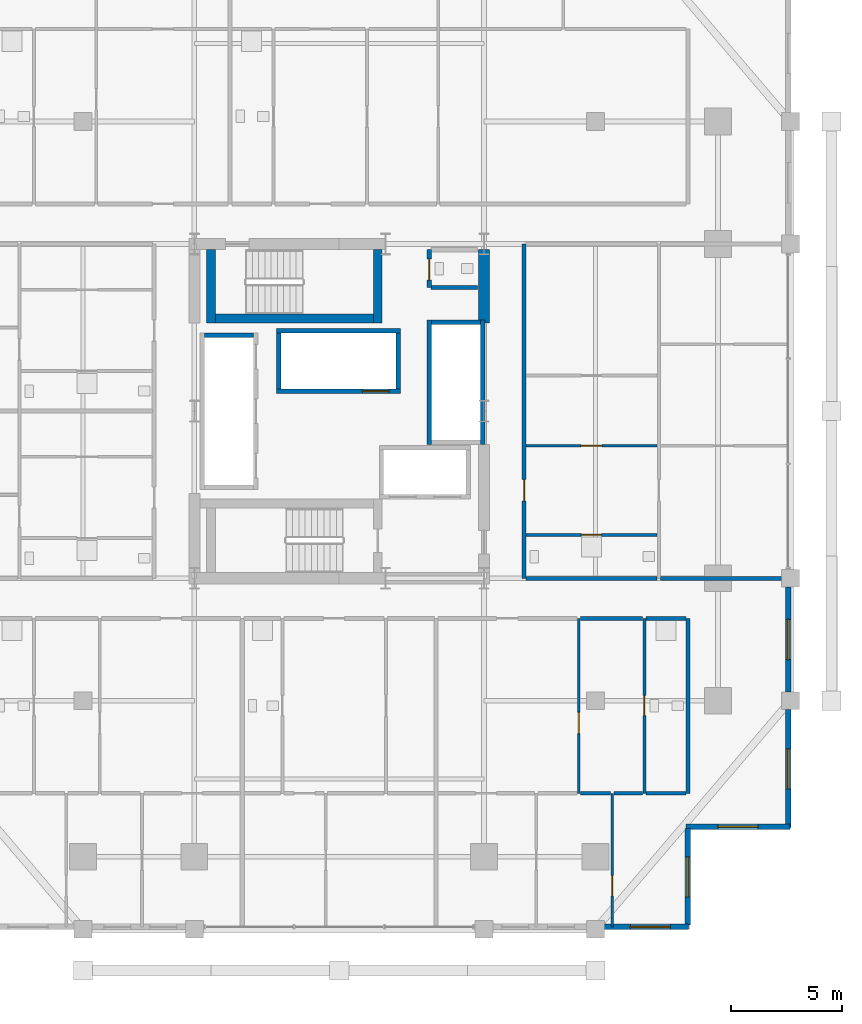
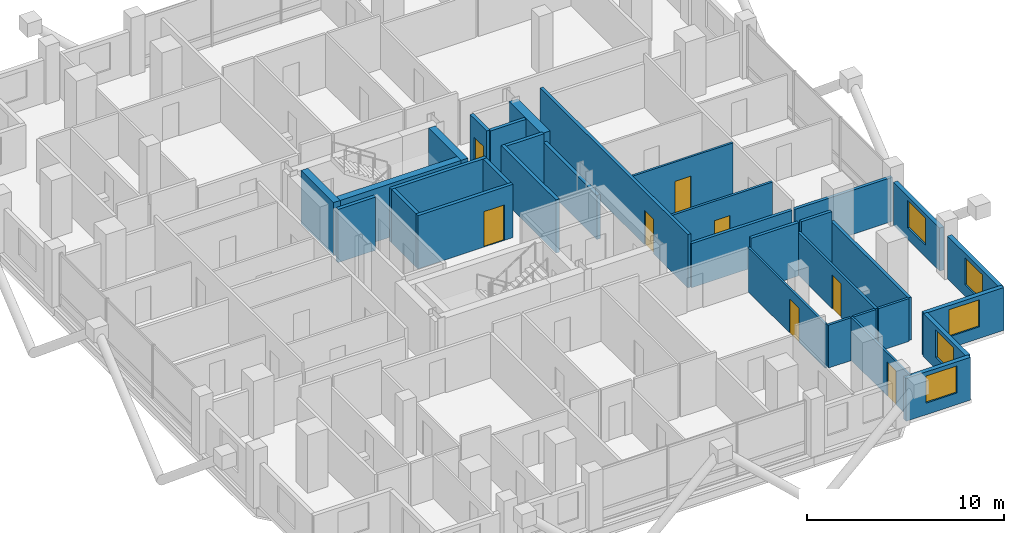
# One storey, part 19 of 23: 33 walls, 8 doors, 5 windows, 13 openings.
"""IFC4 building model written with IfcOpenShell, lengths in metres."""

from ifc_helpers import new_model, si_unit, direction, frame, frame_2d, origin, place, context, subcontext, project, spatial, rectangle, extrude, material, layer, layer_set, type_object, element, fill, save


model = new_model("IFC4")

# Units and contexts
model_context = context("Model", 3, precision=1e-05, world=origin(), true_north=direction((0.0, 1.0)))
body_context = subcontext(model_context, "Body", "Model", "MODEL_VIEW")
ifc_project = project(units=[si_unit("LENGTHUNIT", "METRE"), si_unit("AREAUNIT", "SQUARE_METRE"), si_unit("VOLUMEUNIT", "CUBIC_METRE"), si_unit("PLANEANGLEUNIT", "RADIAN"), si_unit("MASSUNIT", "GRAM", prefix="KILO")], contexts=[model_context])

# Site, building, storey
site_placement = place(None, origin())
site = spatial("IfcSite", under=ifc_project, at=site_placement, CompositionType="ELEMENT")
building_placement = place(site_placement, origin())
building = spatial("IfcBuilding", under=site, at=building_placement, Name="Barlavira Tower and Art Museum", CompositionType="ELEMENT")
storey_placement = place(building_placement, frame((0.0, 0.0, 117.0)))
storey = spatial("IfcBuildingStorey", under=building, at=storey_placement, Name="L29", CompositionType="ELEMENT", Elevation=117.0)

# Wall, opening, door
ifc_material_1 = material(Name="Gypsum acoustic stud partition", Category="gypsum")
ifc_layer_1 = layer(ifc_material_1, 0.1201171875, Name="Gypsum acoustic stud partition")
ifc_layer_set_1 = layer_set([ifc_layer_1], Name="Gypsum acoustic stud partition")
wall_type_1 = type_object("IfcWallType", Name="Apartment Internal Acoustic Partition 120", PredefinedType="PARTITIONING", material=ifc_layer_set_1)
wall_1_placement = place(storey_placement, frame((10.75, -17.14990234375, 0.0), z_axis=(0.0, 0.0, 1.0), x_axis=(0.0, 1.0, 0.0)))
wall_1 = element("IfcWall", 1, at=wall_1_placement, inside=storey, type_object=wall_type_1, Name="L29 Partition Wall 24", PredefinedType="PARTITIONING", context=body_context, shape_type="SweptSolid", body=[
    extrude(rectangle(XDim=7.849853515625, YDim=0.1201171875, at=frame_2d((3.9248046875, 0.0))), origin(), (0.0, 0.0, 1.0), 2.736083984375),
])
opening_1_placement = place(wall_1_placement, frame((2.681396484375, 0.0, 0.0)))
opening_1 = element("IfcOpeningElement", 2, at=opening_1_placement, cuts=wall_1, Name="Opening D-02", PredefinedType="OPENING", context=body_context, shape_type="SweptSolid", body=[
    extrude(rectangle(XDim=0.949951171875, YDim=2.10009765625, at=frame_2d((0.47509765625, 1.050048828125))), frame((0.0, 0.070068359375, 0.0), z_axis=(0.0, -1.0, 0.0), x_axis=(1.0, 0.0, 0.0)), (0.0, 0.0, 1.0), 0.14013671875),
])
ifc_material_2 = material(Name="Engineered coastal hardwood", Category="wood")
door_type_1 = type_object("IfcDoorType", Name="Living and Salon Glazed-Leaf Door 950x2100", OperationType="NOTDEFINED", PredefinedType="DOOR", material=ifc_material_2)
door_1_placement = place(opening_1_placement, origin())
door_1 = element("IfcDoor", 3, at=door_1_placement, inside=storey, type_object=door_type_1, Name="Apartment S3 Kitchen Door", OperationType="SINGLE_SWING_LEFT", OverallHeight=2.10009765625, OverallWidth=0.949951171875, PredefinedType="DOOR", context=body_context, shape_type="SweptSolid", body=[
    extrude(rectangle(XDim=0.949951171875, YDim=2.10009765625, at=frame_2d((0.47509765625, 1.050048828125))), frame((0.0, 0.02490234375, 0.0), z_axis=(0.0, -1.0, 0.0), x_axis=(1.0, 0.0, 0.0)), (0.0, 0.0, 1.0), 0.050048828125),
])
fill(opening_1, door_1)

wall_2_placement = place(storey_placement, frame((12.25, -23.14990234375, 0.0), z_axis=(0.0, 0.0, 1.0), x_axis=(0.0, 1.0, 0.0)))
wall_2 = element("IfcWall", 4, at=wall_2_placement, inside=storey, type_object=wall_type_1, Name="L29 Partition Wall 25", PredefinedType="PARTITIONING", context=body_context, shape_type="SweptSolid", body=[
    extrude(rectangle(XDim=6.0, YDim=0.1201171875, at=frame_2d((3.0, 0.0))), origin(), (0.0, 0.0, 1.0), 2.656005859375),
])
opening_2_placement = place(wall_2_placement, frame((1.39892578125, 0.0, 0.0)))
opening_2 = element("IfcOpeningElement", 5, at=opening_2_placement, cuts=wall_2, Name="Opening D-01", PredefinedType="OPENING", context=body_context, shape_type="SweptSolid", body=[
    extrude(rectangle(XDim=0.89990234375, YDim=2.10009765625, at=frame_2d((0.449951171875, 1.050048828125))), frame((0.0, 0.070068359375, 0.0), z_axis=(0.0, -1.0, 0.0), x_axis=(1.0, 0.0, 0.0)), (0.0, 0.0, 1.0), 0.14013671875),
])
door_type_2 = type_object("IfcDoorType", Name="Internal Bedroom Timber Flush Door 900x2100", OperationType="NOTDEFINED", PredefinedType="DOOR", material=ifc_material_2)
door_2_placement = place(opening_2_placement, origin())
door_2 = element("IfcDoor", 6, at=door_2_placement, inside=storey, type_object=door_type_2, Name="Apartment S3 Bedroom 2 Door", OperationType="SINGLE_SWING_LEFT", OverallHeight=2.10009765625, OverallWidth=0.89990234375, PredefinedType="DOOR", context=body_context, shape_type="SweptSolid", body=[
    extrude(rectangle(XDim=0.89990234375, YDim=2.10009765625, at=frame_2d((0.449951171875, 1.050048828125))), frame((0.0, 0.02490234375, 0.0), z_axis=(0.0, -1.0, 0.0), x_axis=(1.0, 0.0, 0.0)), (0.0, 0.0, 1.0), 0.050048828125),
])
fill(opening_2, door_2)

wall_3_placement = place(storey_placement, frame((8.3798828125, -1.550048828125, 0.0), z_axis=(0.0, 0.0, 1.0), x_axis=(1.0, 0.0, 0.0)))
wall_3 = element("IfcWall", 7, at=wall_3_placement, inside=storey, type_object=wall_type_1, Name="L29 Partition Wall 61", PredefinedType="PARTITIONING", context=body_context, shape_type="SweptSolid", body=[
    extrude(rectangle(XDim=5.89013671875, YDim=0.1201171875, at=frame_2d((2.945068359375, 0.0))), origin(), (0.0, 0.0, 1.0), 3.300048828125),
])
opening_3_placement = place(wall_3_placement, frame((2.465087890625, 0.0, 0.0)))
opening_3 = element("IfcOpeningElement", 8, at=opening_3_placement, cuts=wall_3, Name="Opening D-02", PredefinedType="OPENING", context=body_context, shape_type="SweptSolid", body=[
    extrude(rectangle(XDim=0.949951171875, YDim=2.10009765625, at=frame_2d((0.47509765625, 1.050048828125))), frame((0.0, 0.070068359375, 0.0), z_axis=(0.0, -1.0, 0.0), x_axis=(1.0, 0.0, 0.0)), (0.0, 0.0, 1.0), 0.14013671875),
])
door_3_placement = place(opening_3_placement, origin())
door_3 = element("IfcDoor", 9, at=door_3_placement, inside=storey, type_object=door_type_1, Name="Apartment E1 Kitchen Door", OperationType="SINGLE_SWING_RIGHT", OverallHeight=2.10009765625, OverallWidth=0.949951171875, PredefinedType="DOOR", context=body_context, shape_type="SweptSolid", body=[
    extrude(rectangle(XDim=0.949951171875, YDim=2.10009765625, at=frame_2d((0.47509765625, 1.050048828125))), frame((0.0, 0.02490234375, 0.0), z_axis=(0.0, -1.0, 0.0), x_axis=(1.0, 0.0, 0.0)), (0.0, 0.0, 1.0), 0.050048828125),
])
fill(opening_3, door_3)

# Walls
ifc_material_3 = material(Name="Concrete C60", Category="concrete")
ifc_layer_2 = layer(ifc_material_3, 0.5, Name="Concrete C60")
ifc_layer_set_2 = layer_set([ifc_layer_2], Name="Concrete C60")
wall_type_2 = type_object("IfcWallType", Name="Core Structural Shear Wall 500 Concrete C60", PredefinedType="SHEAR", material=ifc_layer_set_2)
wall_4_placement = place(storey_placement, frame((6.5, 3.949951171875, 0.0), z_axis=(0.0, 0.0, 1.0), x_axis=(0.0, 1.0, 0.0)))
element("IfcWall", 10, at=wall_4_placement, inside=storey, type_object=wall_type_2, Name="L29 Core Shear Wall CS-E2", PredefinedType="SHEAR", context=body_context, shape_type="SweptSolid", body=[
    extrude(rectangle(XDim=3.300048828125, YDim=0.5, at=frame_2d((1.64990234375, 0.0))), origin(), (0.0, 0.0, 1.0), 3.300048828125),
])
ifc_material_4 = material(Name="Autoclaved aerated concrete masonry", Category="masonry")
ifc_layer_3 = layer(ifc_material_4, 0.199951171875, Name="Autoclaved aerated concrete masonry")
ifc_layer_set_3 = layer_set([ifc_layer_3], Name="Autoclaved aerated concrete masonry")
wall_type_3 = type_object("IfcWallType", Name="Fire Compartment and Shaft Wall 200", PredefinedType="SOLIDWALL", material=ifc_layer_set_3)
wall_5_placement = place(storey_placement, frame((-6.050048828125, 3.409912109375, 0.0), z_axis=(0.0, 0.0, 1.0), x_axis=(1.0, 0.0, 0.0)))
element("IfcWall", 11, at=wall_5_placement, inside=storey, type_object=wall_type_3, Name="L29 Low-Rise Lift North Shaft Wall", PredefinedType="SOLIDWALL", context=body_context, shape_type="SweptSolid", body=[
    extrude(rectangle(XDim=2.199951171875, YDim=0.199951171875, at=frame_2d((1.10009765625, 0.0))), origin(), (0.0, 0.0, 1.0), 3.300048828125),
])
wall_6_placement = place(storey_placement, frame((4.050048828125, -1.489990234375, 0.0), z_axis=(0.0, 0.0, 1.0), x_axis=(0.0, 1.0, 0.0)))
element("IfcWall", 12, at=wall_6_placement, inside=storey, type_object=wall_type_3, Name="L29 Mid-Rise Lift Front Shaft Wall", PredefinedType="SOLIDWALL", context=body_context, shape_type="SweptSolid", body=[
    extrude(rectangle(XDim=5.580078125, YDim=0.199951171875, at=frame_2d((2.7900390625, 0.0))), origin(), (0.0, 0.0, 1.0), 3.300048828125),
])
wall_7_placement = place(storey_placement, frame((6.449951171875, -1.489990234375, 0.0), z_axis=(0.0, 0.0, 1.0), x_axis=(0.0, 1.0, 0.0)))
element("IfcWall", 13, at=wall_7_placement, inside=storey, type_object=wall_type_3, Name="L29 Mid-Rise Lift Back Shaft Wall", PredefinedType="SOLIDWALL", context=body_context, shape_type="SweptSolid", body=[
    extrude(rectangle(XDim=5.580078125, YDim=0.199951171875, at=frame_2d((2.7900390625, 0.0))), origin(), (0.0, 0.0, 1.0), 2.736083984375),
])
wall_8_placement = place(storey_placement, frame((4.14990234375, 3.989990234375, 0.0), z_axis=(0.0, 0.0, 1.0), x_axis=(1.0, 0.0, 0.0)))
element("IfcWall", 14, at=wall_8_placement, inside=storey, type_object=wall_type_3, Name="L29 Mid-Rise Lift North Shaft Wall", PredefinedType="SOLIDWALL", context=body_context, shape_type="SweptSolid", body=[
    extrude(rectangle(XDim=2.2001953125, YDim=0.199951171875, at=frame_2d((1.10009765625, 0.0))), origin(), (0.0, 0.0, 1.0), 3.300048828125),
])

# Wall, opening, door
wall_9_placement = place(storey_placement, frame((-2.820068359375, 0.89990234375, 0.0), z_axis=(0.0, 0.0, 1.0), x_axis=(1.0, 0.0, 0.0)))
wall_9 = element("IfcWall", 15, at=wall_9_placement, inside=storey, type_object=wall_type_3, Name="L29 High-Rise & Service Lift Front Wall", PredefinedType="SOLIDWALL", context=body_context, shape_type="SweptSolid", body=[
    extrude(rectangle(XDim=5.580078125, YDim=0.199951171875, at=frame_2d((2.7900390625, 0.0))), origin(), (0.0, 0.0, 1.0), 3.300048828125),
])
opening_4_placement = place(wall_9_placement, frame((3.860107421875, 0.0, 0.0)))
opening_4 = element("IfcOpeningElement", 16, at=opening_4_placement, cuts=wall_9, Name="Opening LD-F", PredefinedType="OPENING", context=body_context, shape_type="SweptSolid", body=[
    extrude(rectangle(XDim=1.199951171875, YDim=2.199951171875, at=frame_2d((0.60009765625, 1.10009765625))), frame((0.0, 0.10986328125, 0.0), z_axis=(0.0, -1.0, 0.0), x_axis=(1.0, 0.0, 0.0)), (0.0, 0.0, 1.0), 0.219970703125),
])
ifc_material_5 = material(Name="Brushed stainless steel", Category="steel")
door_type_3 = type_object("IfcDoorType", Name="Firefighting and Service Lift Sliding Door 1200x2200 FD120", OperationType="NOTDEFINED", PredefinedType="DOOR", material=ifc_material_5)
door_4_placement = place(opening_4_placement, origin())
door_4 = element("IfcDoor", 17, at=door_4_placement, inside=storey, type_object=door_type_3, Name="L29 Stretcher Service Lift SL1 Sliding Door", OperationType="DOUBLE_DOOR_SLIDING", OverallHeight=2.199951171875, OverallWidth=1.199951171875, PredefinedType="DOOR", context=body_context, shape_type="SweptSolid", body=[
    extrude(rectangle(XDim=1.199951171875, YDim=2.199951171875, at=frame_2d((0.60009765625, 1.10009765625))), frame((0.0, 0.02490234375, 0.0), z_axis=(0.0, -1.0, 0.0), x_axis=(1.0, 0.0, 0.0)), (0.0, 0.0, 1.0), 0.050048828125),
])
fill(opening_4, door_4)

# Walls
wall_10_placement = place(storey_placement, frame((-2.820068359375, 3.60009765625, 0.0), z_axis=(0.0, 0.0, 1.0), x_axis=(1.0, 0.0, 0.0)))
element("IfcWall", 18, at=wall_10_placement, inside=storey, type_object=wall_type_3, Name="L29 High-Rise & Service Lift Back Wall", PredefinedType="SOLIDWALL", context=body_context, shape_type="SweptSolid", body=[
    extrude(rectangle(XDim=5.580078125, YDim=0.199951171875, at=frame_2d((2.7900390625, 0.0))), origin(), (0.0, 0.0, 1.0), 3.300048828125),
])
for number, where, z_axis, x_axis, name in (
    (19, (-2.719970703125, 1.0, 0.0), (0.0, 0.0, 1.0), (0.0, 1.0, 0.0), "L29 High-Rise & Service Lift West Wall"),
    (20, (2.659912109375, 1.0, 0.0), (0.0, 0.0, 1.0), (0.0, 1.0, 0.0), "L29 High-Rise & Service Lift East Wall"),
):
    element("IfcWall", number, at=place(storey_placement, frame(where, z_axis=z_axis, x_axis=x_axis)), inside=storey, type_object=wall_type_3, Name=name, PredefinedType="SOLIDWALL", context=body_context, shape_type="SweptSolid", body=[
        extrude(rectangle(XDim=2.5, YDim=0.199951171875, at=frame_2d((1.25, 0.0))), origin(), (0.0, 0.0, 1.0), 3.300048828125),
    ])

# Wall, opening, door
wall_11_placement = place(storey_placement, frame((4.050048828125, 5.550048828125, 0.0), z_axis=(0.0, 0.0, 1.0), x_axis=(0.0, 1.0, 0.0)))
wall_11 = element("IfcWall", 21, at=wall_11_placement, inside=storey, type_object=wall_type_3, Name="L29 Partition Wall 18", PredefinedType="SOLIDWALL", context=body_context, shape_type="SweptSolid", body=[
    extrude(rectangle(XDim=1.699951171875, YDim=0.199951171875, at=frame_2d((0.85009765625, 0.0))), origin(), (0.0, 0.0, 1.0), 3.300048828125),
])
opening_5_placement = place(wall_11_placement, frame((0.324951171875, 0.0, 0.0)))
opening_5 = element("IfcOpeningElement", 22, at=opening_5_placement, cuts=wall_11, Name="Opening FD-60", PredefinedType="OPENING", context=body_context, shape_type="SweptSolid", body=[
    extrude(rectangle(XDim=0.949951171875, YDim=2.14990234375, at=frame_2d((0.47509765625, 1.074951171875))), frame((0.0, 0.10986328125, 0.0), z_axis=(0.0, -1.0, 0.0), x_axis=(1.0, 0.0, 0.0)), (0.0, 0.0, 1.0), 0.219970703125),
])
door_type_4 = type_object("IfcDoorType", Name="Apartment Entrance and Riser Fire Door 950x2150 FD60S", OperationType="NOTDEFINED", PredefinedType="DOOR", material=ifc_material_5)
door_5_placement = place(opening_5_placement, origin())
door_5 = element("IfcDoor", 23, at=door_5_placement, inside=storey, type_object=door_type_4, Name="Core Accessible Washroom Door", OperationType="SINGLE_SWING_RIGHT", OverallHeight=2.14990234375, OverallWidth=0.949951171875, PredefinedType="DOOR", context=body_context, shape_type="SweptSolid", body=[
    extrude(rectangle(XDim=0.949951171875, YDim=2.14990234375, at=frame_2d((0.47509765625, 1.074951171875))), frame((0.0, 0.02490234375, 0.0), z_axis=(0.0, -1.0, 0.0), x_axis=(1.0, 0.0, 0.0)), (0.0, 0.0, 1.0), 0.050048828125),
])
fill(opening_5, door_5)

# Wall
wall_12_placement = place(storey_placement, frame((4.1298828125, 5.550048828125, 0.0), z_axis=(0.0, 0.0, 1.0), x_axis=(1.0, 0.0, 0.0)))
element("IfcWall", 24, at=wall_12_placement, inside=storey, type_object=wall_type_3, Name="L29 Partition Wall 70", PredefinedType="SOLIDWALL", context=body_context, shape_type="SweptSolid", body=[
    extrude(rectangle(XDim=2.070068359375, YDim=0.199951171875, at=frame_2d((1.03515625, 0.0))), origin(), (0.0, 0.0, 1.0), 3.300048828125),
])

# Wall, opening, door
ifc_layer_4 = layer(ifc_material_1, 0.179931640625, Name="Gypsum acoustic stud partition")
ifc_layer_set_4 = layer_set([ifc_layer_4], Name="Gypsum acoustic stud partition")
wall_type_4 = type_object("IfcWallType", Name="Inter-Tenancy Party Partition Wall 180", PredefinedType="PARTITIONING", material=ifc_layer_set_4)
wall_13_placement = place(storey_placement, frame((8.300048828125, -7.5, 0.0), z_axis=(0.0, 0.0, 1.0), x_axis=(0.0, 1.0, 0.0)))
wall_13 = element("IfcWall", 25, at=wall_13_placement, inside=storey, type_object=wall_type_4, Name="L29 Partition Wall 21", PredefinedType="PARTITIONING", context=body_context, shape_type="SweptSolid", body=[
    extrude(rectangle(XDim=15.0, YDim=0.179931640625, at=frame_2d((7.5, 0.0))), origin(), (0.0, 0.0, 1.0), 3.300048828125),
])
opening_6_placement = place(wall_13_placement, frame((3.47509765625, 0.0, 0.0)))
opening_6 = element("IfcOpeningElement", 26, at=opening_6_placement, cuts=wall_13, Name="Opening FD-60", PredefinedType="OPENING", context=body_context, shape_type="SweptSolid", body=[
    extrude(rectangle(XDim=0.949951171875, YDim=2.14990234375, at=frame_2d((0.47509765625, 1.074951171875))), frame((0.0, 0.10009765625, 0.0), z_axis=(0.0, -1.0, 0.0), x_axis=(1.0, 0.0, 0.0)), (0.0, 0.0, 1.0), 0.199951171875),
])
door_6_placement = place(opening_6_placement, origin())
door_6 = element("IfcDoor", 27, at=door_6_placement, inside=storey, type_object=door_type_4, Name="Apartment Entrance Hall E1 Door", OperationType="SINGLE_SWING_LEFT", OverallHeight=2.14990234375, OverallWidth=0.949951171875, PredefinedType="DOOR", context=body_context, shape_type="SweptSolid", body=[
    extrude(rectangle(XDim=0.949951171875, YDim=2.14990234375, at=frame_2d((0.47509765625, 1.074951171875))), frame((0.0, 0.02490234375, 0.0), z_axis=(0.0, -1.0, 0.0), x_axis=(1.0, 0.0, 0.0)), (0.0, 0.0, 1.0), 0.050048828125),
])
fill(opening_6, door_6)

# Walls
wall_14_placement = place(storey_placement, frame((15.64990234375, -17.14990234375, 0.0), z_axis=(0.0, 0.0, 1.0), x_axis=(0.0, 1.0, 0.0)))
element("IfcWall", 28, at=wall_14_placement, inside=storey, type_object=wall_type_4, Name="L29 Partition Wall 28", PredefinedType="PARTITIONING", context=body_context, shape_type="SweptSolid", body=[
    extrude(rectangle(XDim=7.849853515625, YDim=0.179931640625, at=frame_2d((3.9248046875, 0.0))), origin(), (0.0, 0.0, 1.0), 2.656005859375),
])
wall_15_placement = place(storey_placement, frame((10.830078125, -9.300048828125, 0.0), z_axis=(0.0, 0.0, 1.0), x_axis=(1.0, 0.0, 0.0)))
element("IfcWall", 29, at=wall_15_placement, inside=storey, type_object=wall_type_4, Name="L29 Partition Wall 51", PredefinedType="PARTITIONING", context=body_context, shape_type="SweptSolid", body=[
    extrude(rectangle(XDim=2.7900390625, YDim=0.179931640625, at=frame_2d((1.39501953125, 0.0))), origin(), (0.0, 0.0, 1.0), 3.300048828125),
])
wall_16_placement = place(storey_placement, frame((13.780029296875, -9.300048828125, 0.0), z_axis=(0.0, 0.0, 1.0), x_axis=(1.0, 0.0, 0.0)))
element("IfcWall", 30, at=wall_16_placement, inside=storey, type_object=wall_type_4, Name="L29 Partition Wall 52", PredefinedType="PARTITIONING", context=body_context, shape_type="SweptSolid", body=[
    extrude(rectangle(XDim=1.7900390625, YDim=0.179931640625, at=frame_2d((0.89501953125, 0.0))), origin(), (0.0, 0.0, 1.0), 3.300048828125),
])
wall_17_placement = place(storey_placement, frame((8.3798828125, -7.5, 0.0), z_axis=(0.0, 0.0, 1.0), x_axis=(1.0, 0.0, 0.0)))
element("IfcWall", 31, at=wall_17_placement, inside=storey, type_object=wall_type_4, Name="L29 Partition Wall 55", PredefinedType="PARTITIONING", context=body_context, shape_type="SweptSolid", body=[
    extrude(rectangle(XDim=5.89013671875, YDim=0.179931640625, at=frame_2d((2.945068359375, 0.0))), origin(), (0.0, 0.0, 1.0), 2.736083984375),
])
wall_18_placement = place(storey_placement, frame((14.429931640625, -7.5, 0.0), z_axis=(0.0, 0.0, 1.0), x_axis=(1.0, 0.0, 0.0)))
element("IfcWall", 32, at=wall_18_placement, inside=storey, type_object=wall_type_4, Name="L29 Partition Wall 56", PredefinedType="PARTITIONING", context=body_context, shape_type="SweptSolid", body=[
    extrude(rectangle(XDim=5.719970703125, YDim=0.179931640625, at=frame_2d((2.85986328125, 0.0))), origin(), (0.0, 0.0, 1.0), 2.736083984375),
])

# Wall, opening, door
ifc_layer_5 = layer(ifc_material_1, 0.139892578125, Name="Gypsum acoustic stud partition")
ifc_layer_set_5 = layer_set([ifc_layer_5], Name="Gypsum acoustic stud partition")
wall_type_5 = type_object("IfcWallType", Name="Moisture-Resistant Bathroom Partition 140", PredefinedType="PARTITIONING", material=ifc_layer_set_5)
wall_19_placement = place(storey_placement, frame((13.699951171875, -17.14990234375, 0.0), z_axis=(0.0, 0.0, 1.0), x_axis=(0.0, 1.0, 0.0)))
wall_19 = element("IfcWall", 33, at=wall_19_placement, inside=storey, type_object=wall_type_5, Name="L29 Partition Wall 26", PredefinedType="PARTITIONING", context=body_context, shape_type="SweptSolid", body=[
    extrude(rectangle(XDim=7.849853515625, YDim=0.139892578125, at=frame_2d((3.9248046875, 0.0))), origin(), (0.0, 0.0, 1.0), 2.656005859375),
])
opening_7_placement = place(wall_19_placement, frame((3.47998046875, 0.0, 0.0)))
opening_7 = element("IfcOpeningElement", 34, at=opening_7_placement, cuts=wall_19, Name="Opening D-WC", PredefinedType="OPENING", context=body_context, shape_type="SweptSolid", body=[
    extrude(rectangle(XDim=0.89990234375, YDim=2.10009765625, at=frame_2d((0.449951171875, 1.050048828125))), frame((0.0, 0.080078125, 0.0), z_axis=(0.0, -1.0, 0.0), x_axis=(1.0, 0.0, 0.0)), (0.0, 0.0, 1.0), 0.159912109375),
])
door_type_5 = type_object("IfcDoorType", Name="Accessible Bathroom Flush Door 900x2100", OperationType="NOTDEFINED", PredefinedType="DOOR", material=ifc_material_2)
door_7_placement = place(opening_7_placement, origin())
door_7 = element("IfcDoor", 35, at=door_7_placement, inside=storey, type_object=door_type_5, Name="Apartment S3 Hall Bathroom Door", OperationType="SINGLE_SWING_RIGHT", OverallHeight=2.10009765625, OverallWidth=0.89990234375, PredefinedType="DOOR", context=body_context, shape_type="SweptSolid", body=[
    extrude(rectangle(XDim=0.89990234375, YDim=2.10009765625, at=frame_2d((0.449951171875, 1.050048828125))), frame((0.0, 0.02490234375, 0.0), z_axis=(0.0, -1.0, 0.0), x_axis=(1.0, 0.0, 0.0)), (0.0, 0.0, 1.0), 0.050048828125),
])
fill(opening_7, door_7)

# Walls
wall_20_placement = place(storey_placement, frame((10.830078125, -17.14990234375, 0.0), z_axis=(0.0, 0.0, 1.0), x_axis=(1.0, 0.0, 0.0)))
element("IfcWall", 36, at=wall_20_placement, inside=storey, type_object=wall_type_5, Name="L29 Partition Wall 41", PredefinedType="PARTITIONING", context=body_context, shape_type="SweptSolid", body=[
    extrude(rectangle(XDim=1.33984375, YDim=0.139892578125, at=frame_2d((0.669921875, 0.0))), origin(), (0.0, 0.0, 1.0), 2.656005859375),
])
wall_21_placement = place(storey_placement, frame((12.330078125, -17.14990234375, 0.0), z_axis=(0.0, 0.0, 1.0), x_axis=(1.0, 0.0, 0.0)))
element("IfcWall", 37, at=wall_21_placement, inside=storey, type_object=wall_type_5, Name="L29 Partition Wall 42", PredefinedType="PARTITIONING", context=body_context, shape_type="SweptSolid", body=[
    extrude(rectangle(XDim=1.2900390625, YDim=0.139892578125, at=frame_2d((0.64501953125, 0.0))), origin(), (0.0, 0.0, 1.0), 2.656005859375),
])
wall_22_placement = place(storey_placement, frame((13.780029296875, -17.14990234375, 0.0), z_axis=(0.0, 0.0, 1.0), x_axis=(1.0, 0.0, 0.0)))
element("IfcWall", 38, at=wall_22_placement, inside=storey, type_object=wall_type_5, Name="L29 Partition Wall 43", PredefinedType="PARTITIONING", context=body_context, shape_type="SweptSolid", body=[
    extrude(rectangle(XDim=1.7900390625, YDim=0.139892578125, at=frame_2d((0.89501953125, 0.0))), origin(), (0.0, 0.0, 1.0), 2.656005859375),
])

# Wall, opening, door
wall_23_placement = place(storey_placement, frame((8.3798828125, -5.550048828125, 0.0), z_axis=(0.0, 0.0, 1.0), x_axis=(1.0, 0.0, 0.0)))
wall_23 = element("IfcWall", 39, at=wall_23_placement, inside=storey, type_object=wall_type_5, Name="L29 Partition Wall 58", PredefinedType="PARTITIONING", context=body_context, shape_type="SweptSolid", body=[
    extrude(rectangle(XDim=5.89013671875, YDim=0.139892578125, at=frame_2d((2.945068359375, 0.0))), origin(), (0.0, 0.0, 1.0), 3.300048828125),
])
opening_8_placement = place(wall_23_placement, frame((2.489990234375, 0.0, 0.0)))
opening_8 = element("IfcOpeningElement", 40, at=opening_8_placement, cuts=wall_23, Name="Opening D-WC", PredefinedType="OPENING", context=body_context, shape_type="SweptSolid", body=[
    extrude(rectangle(XDim=0.89990234375, YDim=2.10009765625, at=frame_2d((0.449951171875, 1.050048828125))), frame((0.0, 0.080078125, 0.0), z_axis=(0.0, -1.0, 0.0), x_axis=(1.0, 0.0, 0.0)), (0.0, 0.0, 1.0), 0.159912109375),
])
door_8_placement = place(opening_8_placement, origin())
door_8 = element("IfcDoor", 41, at=door_8_placement, inside=storey, type_object=door_type_5, Name="Apartment E1 Hall Bathroom Door", OperationType="SINGLE_SWING_RIGHT", OverallHeight=2.10009765625, OverallWidth=0.89990234375, PredefinedType="DOOR", context=body_context, shape_type="SweptSolid", body=[
    extrude(rectangle(XDim=0.89990234375, YDim=2.10009765625, at=frame_2d((0.449951171875, 1.050048828125))), frame((0.0, 0.02490234375, 0.0), z_axis=(0.0, -1.0, 0.0), x_axis=(1.0, 0.0, 0.0)), (0.0, 0.0, 1.0), 0.050048828125),
])
fill(opening_8, door_8)

# Wall, opening, window
ifc_material_6 = material(Name="Precast concrete C40", Category="concrete")
ifc_layer_6 = layer(ifc_material_6, 0.25, Name="Precast concrete C40")
ifc_layer_set_6 = layer_set([ifc_layer_6], Name="Precast concrete C40")
wall_type_6 = type_object("IfcWallType", Name="Notched Corner Spandrel Wall 250 Precast Concrete C40", PredefinedType="SOLIDWALL", material=ifc_layer_set_6)
wall_24_placement = place(storey_placement, frame((11.89501953125, -23.14990234375, 0.0), z_axis=(0.0, 0.0, 1.0), x_axis=(1.0, 0.0, 0.0)))
wall_24 = element("IfcWall", 42, at=wall_24_placement, inside=storey, type_object=wall_type_6, Name="L29 Coastal Facade Pier Wall CW2-L29-S-5", PredefinedType="SOLIDWALL", context=body_context, shape_type="SweptSolid", body=[
    extrude(rectangle(XDim=3.780029296875, YDim=0.25, at=frame_2d((1.89013671875, 0.0))), origin(), (0.0, 0.0, 1.0), 2.656005859375),
])
opening_9_placement = place(wall_24_placement, frame((1.173095703125, 0.0, 0.719970703125)))
opening_9 = element("IfcOpeningElement", 43, at=opening_9_placement, cuts=wall_24, Name="Opening WN-01", PredefinedType="OPENING", context=body_context, shape_type="SweptSolid", body=[
    extrude(rectangle(XDim=1.800048828125, YDim=1.679931640625, at=frame_2d((0.89990234375, 0.83984375))), frame((0.0, 0.135009765625, 0.0), z_axis=(0.0, -1.0, 0.0), x_axis=(1.0, 0.0, 0.0)), (0.0, 0.0, 1.0), 0.27001953125),
])
ifc_material_7 = material(Name="Low-iron coastal laminated glass", Category="glass")
window_type = type_object("IfcWindowType", Name="Recessed Notch Corner Punch Window 1800x1680", PartitioningType="SINGLE_PANEL", PredefinedType="WINDOW", material=ifc_material_7)
window_1_placement = place(opening_9_placement, origin())
window_1 = element("IfcWindow", 44, at=window_1_placement, inside=storey, type_object=window_type, Name="L29 Punched Facade Window EWP-CW2-L29-S-5-1", OverallHeight=1.679931640625, OverallWidth=1.800048828125, PartitioningType="SINGLE_PANEL", PredefinedType="WINDOW", context=body_context, shape_type="SweptSolid", body=[
    extrude(rectangle(XDim=1.800048828125, YDim=1.679931640625, at=frame_2d((0.89990234375, 0.83984375))), frame((0.0, 0.030029296875, 0.0), z_axis=(0.0, -1.0, 0.0), x_axis=(1.0, 0.0, 0.0)), (0.0, 0.0, 1.0), 0.06005859375),
])
fill(opening_9, window_1)

wall_25_placement = place(storey_placement, frame((20.14990234375, -18.675048828125, 0.0), z_axis=(0.0, 0.0, 1.0), x_axis=(0.0, 1.0, 0.0)))
wall_25 = element("IfcWall", 45, at=wall_25_placement, inside=storey, type_object=wall_type_6, Name="L29 Coastal Facade Pier Wall CW2-L29-E-1", PredefinedType="SOLIDWALL", context=body_context, shape_type="SweptSolid", body=[
    extrude(rectangle(XDim=5.280029296875, YDim=0.25, at=frame_2d((2.64013671875, 0.0))), origin(), (0.0, 0.0, 1.0), 2.656005859375),
])
opening_10_placement = place(wall_25_placement, frame((1.718017578125, 0.0, 0.719970703125)))
opening_10 = element("IfcOpeningElement", 46, at=opening_10_placement, cuts=wall_25, Name="Opening WN-01", PredefinedType="OPENING", context=body_context, shape_type="SweptSolid", body=[
    extrude(rectangle(XDim=1.800048828125, YDim=1.679931640625, at=frame_2d((0.89990234375, 0.83984375))), frame((0.0, 0.135009765625, 0.0), z_axis=(0.0, -1.0, 0.0), x_axis=(1.0, 0.0, 0.0)), (0.0, 0.0, 1.0), 0.27001953125),
])
window_2_placement = place(opening_10_placement, origin())
window_2 = element("IfcWindow", 47, at=window_2_placement, inside=storey, type_object=window_type, Name="L29 Punched Facade Window EWP-CW2-L29-E-1-1", OverallHeight=1.679931640625, OverallWidth=1.800048828125, PartitioningType="SINGLE_PANEL", PredefinedType="WINDOW", context=body_context, shape_type="SweptSolid", body=[
    extrude(rectangle(XDim=1.800048828125, YDim=1.679931640625, at=frame_2d((0.89990234375, 0.83984375))), frame((0.0, 0.030029296875, 0.0), z_axis=(0.0, -1.0, 0.0), x_axis=(1.0, 0.0, 0.0)), (0.0, 0.0, 1.0), 0.06005859375),
])
fill(opening_10, window_2)

wall_26_placement = place(storey_placement, frame((20.14990234375, -12.60498046875, 0.0), z_axis=(0.0, 0.0, 1.0), x_axis=(0.0, 1.0, 0.0)))
wall_26 = element("IfcWall", 48, at=wall_26_placement, inside=storey, type_object=wall_type_6, Name="L29 Coastal Facade Pier Wall CW2-L29-E-2", PredefinedType="SOLIDWALL", context=body_context, shape_type="SweptSolid", body=[
    extrude(rectangle(XDim=4.7099609375, YDim=0.25, at=frame_2d((2.35498046875, 0.0))), origin(), (0.0, 0.0, 1.0), 2.656005859375),
])
opening_11_placement = place(wall_26_placement, frame((1.455078125, 0.0, 0.719970703125)))
opening_11 = element("IfcOpeningElement", 49, at=opening_11_placement, cuts=wall_26, Name="Opening WN-01", PredefinedType="OPENING", context=body_context, shape_type="SweptSolid", body=[
    extrude(rectangle(XDim=1.800048828125, YDim=1.679931640625, at=frame_2d((0.89990234375, 0.83984375))), frame((0.0, 0.135009765625, 0.0), z_axis=(0.0, -1.0, 0.0), x_axis=(1.0, 0.0, 0.0)), (0.0, 0.0, 1.0), 0.27001953125),
])
window_3_placement = place(opening_11_placement, origin())
window_3 = element("IfcWindow", 50, at=window_3_placement, inside=storey, type_object=window_type, Name="L29 Punched Facade Window EWP-CW2-L29-E-2-1", OverallHeight=1.679931640625, OverallWidth=1.800048828125, PartitioningType="SINGLE_PANEL", PredefinedType="WINDOW", context=body_context, shape_type="SweptSolid", body=[
    extrude(rectangle(XDim=1.800048828125, YDim=1.679931640625, at=frame_2d((0.89990234375, 0.83984375))), frame((0.0, 0.030029296875, 0.0), z_axis=(0.0, -1.0, 0.0), x_axis=(1.0, 0.0, 0.0)), (0.0, 0.0, 1.0), 0.06005859375),
])
fill(opening_11, window_3)

wall_27_placement = place(storey_placement, frame((15.64990234375, -23.070068359375, 0.0), z_axis=(0.0, 0.0, 1.0), x_axis=(0.0, 1.0, 0.0)))
wall_27 = element("IfcWall", 51, at=wall_27_placement, inside=storey, type_object=wall_type_6, Name="L29 Notch Corner Wall SE1", PredefinedType="SOLIDWALL", context=body_context, shape_type="SweptSolid", body=[
    extrude(rectangle(XDim=4.340087890625, YDim=0.25, at=frame_2d((2.169921875, 0.0))), origin(), (0.0, 0.0, 1.0), 2.656005859375),
])
opening_12_placement = place(wall_27_placement, frame((1.27001953125, 0.0, 0.719970703125)))
opening_12 = element("IfcOpeningElement", 52, at=opening_12_placement, cuts=wall_27, Name="Opening WN-01", PredefinedType="OPENING", context=body_context, shape_type="SweptSolid", body=[
    extrude(rectangle(XDim=1.800048828125, YDim=1.679931640625, at=frame_2d((0.89990234375, 0.83984375))), frame((0.0, 0.135009765625, 0.0), z_axis=(0.0, -1.0, 0.0), x_axis=(1.0, 0.0, 0.0)), (0.0, 0.0, 1.0), 0.27001953125),
])
window_4_placement = place(opening_12_placement, origin())
window_4 = element("IfcWindow", 53, at=window_4_placement, inside=storey, type_object=window_type, Name="L29 Punched Facade Window EW-NTC-L29-SE1-1", OverallHeight=1.679931640625, OverallWidth=1.800048828125, PartitioningType="SINGLE_PANEL", PredefinedType="WINDOW", context=body_context, shape_type="SweptSolid", body=[
    extrude(rectangle(XDim=1.800048828125, YDim=1.679931640625, at=frame_2d((0.89990234375, 0.83984375))), frame((0.0, 0.030029296875, 0.0), z_axis=(0.0, -1.0, 0.0), x_axis=(1.0, 0.0, 0.0)), (0.0, 0.0, 1.0), 0.06005859375),
])
fill(opening_12, window_4)

wall_28_placement = place(storey_placement, frame((15.570068359375, -18.64990234375, 0.0), z_axis=(0.0, 0.0, 1.0), x_axis=(1.0, 0.0, 0.0)))
wall_28 = element("IfcWall", 54, at=wall_28_placement, inside=storey, type_object=wall_type_6, Name="L29 Notch Corner Wall SE2", PredefinedType="SOLIDWALL", context=body_context, shape_type="SweptSolid", body=[
    extrude(rectangle(XDim=4.659912109375, YDim=0.25, at=frame_2d((2.330078125, 0.0))), origin(), (0.0, 0.0, 1.0), 2.656005859375),
])
opening_13_placement = place(wall_28_placement, frame((1.429931640625, 0.0, 0.719970703125)))
opening_13 = element("IfcOpeningElement", 55, at=opening_13_placement, cuts=wall_28, Name="Opening WN-01", PredefinedType="OPENING", context=body_context, shape_type="SweptSolid", body=[
    extrude(rectangle(XDim=1.800048828125, YDim=1.679931640625, at=frame_2d((0.89990234375, 0.83984375))), frame((0.0, 0.135009765625, 0.0), z_axis=(0.0, -1.0, 0.0), x_axis=(1.0, 0.0, 0.0)), (0.0, 0.0, 1.0), 0.27001953125),
])
window_5_placement = place(opening_13_placement, origin())
window_5 = element("IfcWindow", 56, at=window_5_placement, inside=storey, type_object=window_type, Name="L29 Punched Facade Window EW-NTC-L29-SE2-1", OverallHeight=1.679931640625, OverallWidth=1.800048828125, PartitioningType="SINGLE_PANEL", PredefinedType="WINDOW", context=body_context, shape_type="SweptSolid", body=[
    extrude(rectangle(XDim=1.800048828125, YDim=1.679931640625, at=frame_2d((0.89990234375, 0.83984375))), frame((0.0, 0.030029296875, 0.0), z_axis=(0.0, -1.0, 0.0), x_axis=(1.0, 0.0, 0.0)), (0.0, 0.0, 1.0), 0.06005859375),
])
fill(opening_13, window_5)

# Walls
ifc_material_8 = material(Name="Concrete C55", Category="concrete")
ifc_layer_7 = layer(ifc_material_8, 0.39990234375, Name="Concrete C55")
ifc_layer_set_7 = layer_set([ifc_layer_7], Name="Concrete C55")
wall_type_7 = type_object("IfcWallType", Name="Upper Core Shear Wall 400 Concrete C55", PredefinedType="SHEAR", material=ifc_layer_set_7)
wall_29_placement = place(storey_placement, frame((-5.550048828125, 4.14990234375, 0.0), z_axis=(0.0, 0.0, 1.0), x_axis=(1.0, 0.0, 0.0)))
element("IfcWall", 57, at=wall_29_placement, inside=storey, type_object=wall_type_7, Name="L29 ST-T2 South Shaft Wall", PredefinedType="SHEAR", context=body_context, shape_type="SweptSolid", body=[
    extrude(rectangle(XDim=7.080078125, YDim=0.39990234375, at=frame_2d((3.5400390625, 0.0))), origin(), (0.0, 0.0, 1.0), 3.300048828125),
])
for number, where, z_axis, x_axis, name in (
    (58, (1.72998046875, 3.949951171875, 0.0), (0.0, 0.0, 1.0), (0.0, 1.0, 0.0), "L29 ST-T2 East Half-Landing Wall"),
    (59, (-5.75, 3.949951171875, 0.0), (0.0, 0.0, 1.0), (0.0, 1.0, 0.0), "L29 ST-T2 West Shaft Wall"),
):
    element("IfcWall", number, at=place(storey_placement, frame(where, z_axis=z_axis, x_axis=x_axis)), inside=storey, type_object=wall_type_7, Name=name, PredefinedType="SHEAR", context=body_context, shape_type="SweptSolid", body=[
        extrude(rectangle(XDim=3.300048828125, YDim=0.39990234375, at=frame_2d((1.64990234375, 0.0))), origin(), (0.0, 0.0, 1.0), 3.300048828125),
    ])

save(model, "model.ifc")
